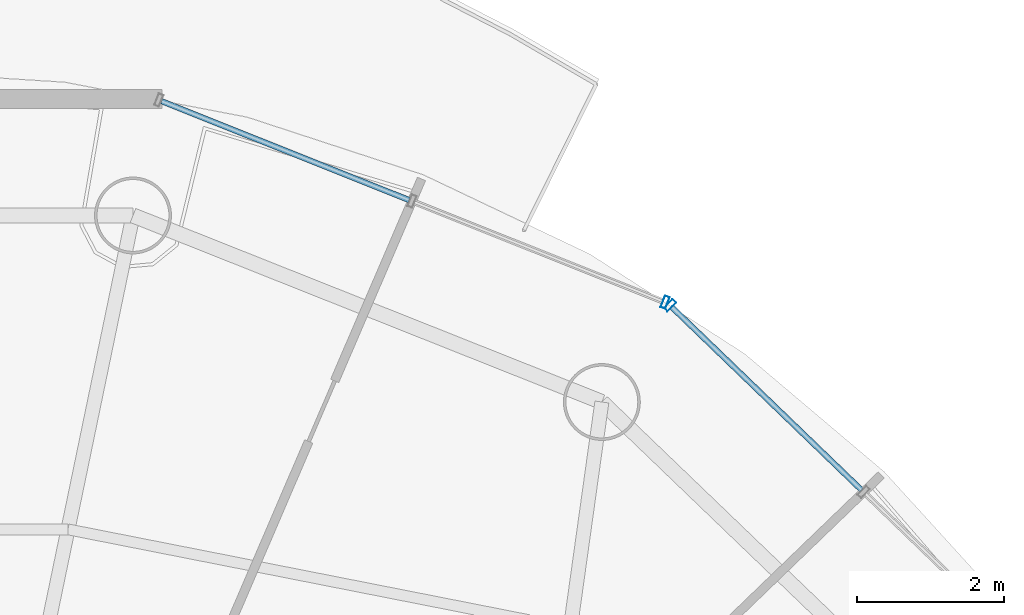
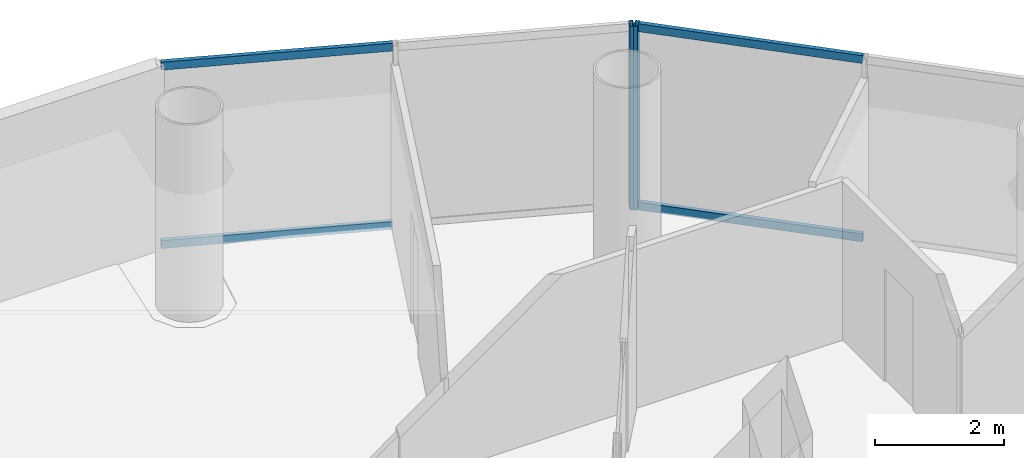
# One storey, part 15 of 23: 6 members, 2 elements without a shape of their own.
"""IFC4 building model written with IfcOpenShell, lengths in metres."""

from ifc_helpers import new_model, si_unit, direction, frame, origin, origin_2d, place, context, subcontext, project, spatial, hollow_rectangle, extrude, source, transform, mapped, material, material_profile, profile_set, type_object, element, aggregate, save


model = new_model("IFC4")

# Units and contexts
model_context = context("Model", 3, precision=1e-05, world=origin(), true_north=direction((-0.2419218956, 0.970295726276)))
body_context = subcontext(model_context, "Body", "Model", "MODEL_VIEW")
ifc_project = project(units=[si_unit("LENGTHUNIT", "METRE"), si_unit("AREAUNIT", "SQUARE_METRE"), si_unit("VOLUMEUNIT", "CUBIC_METRE"), si_unit("PLANEANGLEUNIT", "RADIAN"), si_unit("MASSUNIT", "GRAM", prefix="KILO")], contexts=[model_context])

# Site, building, storey
site_placement = place(None, origin())
site = spatial("IfcSite", under=ifc_project, at=site_placement, CompositionType="ELEMENT")
building_placement = place(site_placement, origin())
building = spatial("IfcBuilding", under=site, at=building_placement, Name="Cobrevalo Terracotta Tower", CompositionType="ELEMENT")
storey_placement = place(building_placement, frame((0.0, 0.0, 266.949951171875)))
storey = spatial("IfcBuildingStorey", under=building, at=storey_placement, Name="L70", CompositionType="ELEMENT", Elevation=266.949951171875)

# Curtain wall, member
ifc_material = material(Name="Anodized aluminium", Category="aluminium")
curtain_wall_type = type_object("IfcCurtainWallType", Name="Upper-tower triple-glazed penthouse curtain wall CW-U3", PredefinedType="NOTDEFINED", material=ifc_material)
curtain_wall_1_placement = place(storey_placement, origin())
curtain_wall_1 = element("IfcCurtainWall", 1, at=curtain_wall_1_placement, inside=storey, type_object=curtain_wall_type, Name="L70 curtain wall CW-L70-S02", PredefinedType="NOTDEFINED")
ifc_material_profile_1 = material_profile(ifc_material, hollow_rectangle(XDim=0.070068359375, YDim=0.169921875, WallThickness=0.00439453125, at=origin_2d()), Name="CWM 70x170")
ifc_profile_set_1 = profile_set([ifc_material_profile_1], Name="Anodized aluminium")
member_type_1 = type_object("IfcMemberType", Name="Upper tower unitised mullion 70x170", PredefinedType="MULLION", material=ifc_profile_set_1)
shared_shape_1 = source(origin(), body_context, "Body", "SweptSolid", [
    extrude(hollow_rectangle(XDim=0.070068359375, YDim=0.169921875, WallThickness=0.00439453125, at=origin_2d()), origin(), (0.0, 0.0, 1.0), 3.489990234375),
])
member_1_placement = place(storey_placement, frame((48.790283203125, 42.2958984375, 0.0), z_axis=(0.0, 0.0, 1.0), x_axis=(-0.71999418085, 0.69398010025, 0.0)))
member_1 = element("IfcMember", 2, at=member_1_placement, type_object=member_type_1, Name="CW-L70-S02 vertical mullion 03", PredefinedType="MULLION", context=body_context, shape_type="MappedRepresentation", body=[
    mapped(shared_shape_1, transform((0.0, 0.0, 0.0), scale=1.0)),
])

curtain_wall_2_placement = place(storey_placement, origin())
curtain_wall_2 = element("IfcCurtainWall", 3, at=curtain_wall_2_placement, inside=storey, type_object=curtain_wall_type, Name="L70 curtain wall CW-L70-S03", PredefinedType="NOTDEFINED")
member_2_placement = place(storey_placement, frame((48.724365234375, 42.33837890625, 0.0), z_axis=(0.0, 0.0, 1.0), x_axis=(-0.928718980883, 0.370784377433, 0.0)))
member_2 = element("IfcMember", 4, at=member_2_placement, type_object=member_type_1, Name="CW-L70-S03 vertical mullion 01", PredefinedType="MULLION", context=body_context, shape_type="MappedRepresentation", body=[
    mapped(shared_shape_1, transform((0.0, 0.0, 0.0), scale=1.0)),
])

# Member
ifc_material_profile_2 = material_profile(ifc_material, hollow_rectangle(XDim=0.074951171875, YDim=0.14990234375, WallThickness=0.00439453125, at=origin_2d()), Name="CWT 75x150")
ifc_profile_set_2 = profile_set([ifc_material_profile_2], Name="Anodized aluminium")
member_type_2 = type_object("IfcMemberType", Name="Tower unitised aluminium transom 75x150", PredefinedType="USERDEFINED", material=ifc_profile_set_2)
shared_shape_2 = source(origin(), body_context, "Body", "SweptSolid", [
    extrude(hollow_rectangle(XDim=0.074951171875, YDim=0.14990234375, WallThickness=0.00439453125, at=origin_2d()), origin(), (0.0, 0.0, 1.0), 3.59130859375),
])
member_3_placement = place(storey_placement, frame((51.40478515625, 39.77587890625, 0.050048828125), z_axis=(-0.720005628362, 0.693968223427, 0.0), x_axis=(-0.693968223427, -0.720005628362, 0.0)))
member_3 = element("IfcMember", 5, at=member_3_placement, type_object=member_type_2, Name="CW-L70-S02 transom B02-T1", ObjectType="TRANSOM", PredefinedType="USERDEFINED", context=body_context, shape_type="MappedRepresentation", body=[
    mapped(shared_shape_2, transform((0.0, 0.0, 0.0), scale=1.0)),
])

member_4_placement = place(storey_placement, frame((51.40478515625, 39.77587890625, 3.43994140625), z_axis=(-0.720005628362, 0.693968223427, 0.0), x_axis=(-0.693968223427, -0.720005628362, 0.0)))
member_4 = element("IfcMember", 6, at=member_4_placement, type_object=member_type_2, Name="CW-L70-S02 transom B02-T2", ObjectType="TRANSOM", PredefinedType="USERDEFINED", context=body_context, shape_type="MappedRepresentation", body=[
    mapped(shared_shape_2, transform((0.0, 0.0, 0.0), scale=1.0)),
])

aggregate(curtain_wall_1, [member_1, member_3, member_4])

shared_shape_3 = source(origin(), body_context, "Body", "SweptSolid", [
    extrude(hollow_rectangle(XDim=0.074951171875, YDim=0.14990234375, WallThickness=0.00439453125, at=origin_2d()), origin(), (0.0, 0.0, 1.0), 3.63916015625),
])
member_5_placement = place(storey_placement, frame((45.23291015625, 43.732177734375, 0.050048828125), z_axis=(-0.928712471544, 0.370800681227, 0.0), x_axis=(-0.370800681227, -0.928712471544, 0.0)))
member_5 = element("IfcMember", 7, at=member_5_placement, type_object=member_type_2, Name="CW-L70-S03 transom B02-T1", ObjectType="TRANSOM", PredefinedType="USERDEFINED", context=body_context, shape_type="MappedRepresentation", body=[
    mapped(shared_shape_3, transform((0.0, 0.0, 0.0), scale=1.0)),
])

member_6_placement = place(storey_placement, frame((45.23291015625, 43.732177734375, 3.43994140625), z_axis=(-0.928712471544, 0.370800681227, 0.0), x_axis=(-0.370800681227, -0.928712471544, 0.0)))
member_6 = element("IfcMember", 8, at=member_6_placement, type_object=member_type_2, Name="CW-L70-S03 transom B02-T2", ObjectType="TRANSOM", PredefinedType="USERDEFINED", context=body_context, shape_type="MappedRepresentation", body=[
    mapped(shared_shape_3, transform((0.0, 0.0, 0.0), scale=1.0)),
])

aggregate(curtain_wall_2, [member_2, member_5, member_6])

save(model, "model.ifc")
